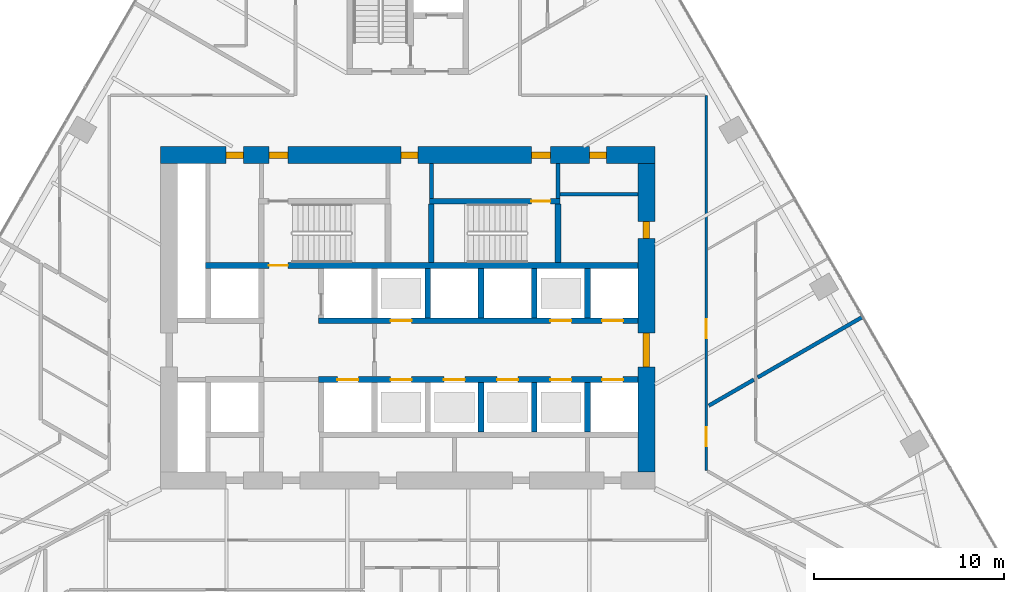
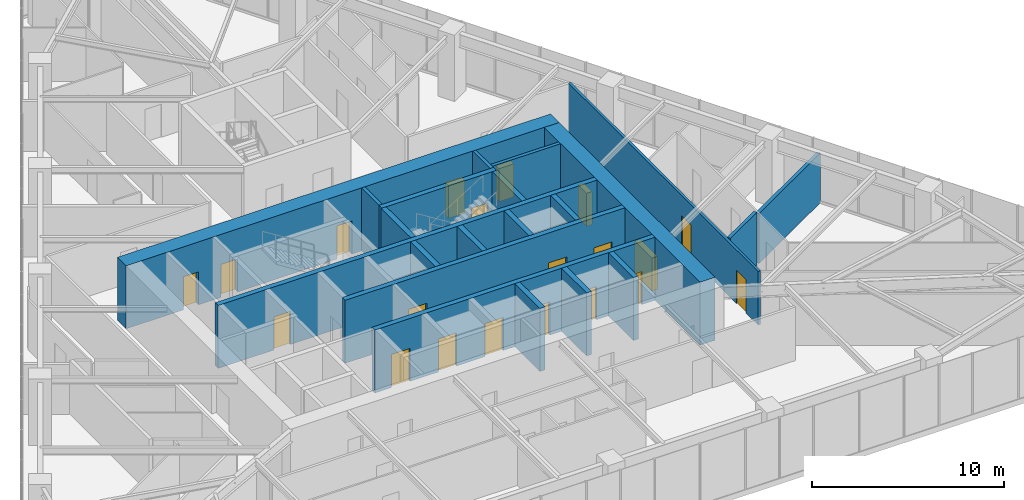
# One storey, part 22 of 26: 21 walls, 20 doors, 20 openings.
"""IFC4 building model written with IfcOpenShell, lengths in metres."""

from ifc_helpers import new_model, si_unit, direction, frame, frame_2d, origin, place, context, subcontext, project, spatial, rectangle, extrude, material, layer, layer_set, type_object, element, fill, save


model = new_model("IFC4")

# Units and contexts
model_context = context("Model", 3, precision=1e-05, world=origin(), true_north=direction((0.0, 1.0)))
body_context = subcontext(model_context, "Body", "Model", "MODEL_VIEW")
ifc_project = project(units=[si_unit("LENGTHUNIT", "METRE"), si_unit("AREAUNIT", "SQUARE_METRE"), si_unit("VOLUMEUNIT", "CUBIC_METRE"), si_unit("PLANEANGLEUNIT", "RADIAN"), si_unit("MASSUNIT", "GRAM", prefix="KILO")], contexts=[model_context])

# Site, building, storey
site_placement = place(None, origin())
site = spatial("IfcSite", under=ifc_project, at=site_placement, CompositionType="ELEMENT")
building_placement = place(site_placement, origin())
building = spatial("IfcBuilding", under=site, at=building_placement, Name="Firuza Gate Tower and Library", CompositionType="ELEMENT")
storey_placement = place(building_placement, frame((0.0, 0.0, 65.199951171875)))
storey = spatial("IfcBuildingStorey", under=building, at=storey_placement, Name="L14", CompositionType="ELEMENT", Elevation=65.199951171875)

# Walls
ifc_material_1 = material(Name="Plasterboard on steel studs", Category="steel")
ifc_layer_1 = layer(ifc_material_1, 0.199951171875)
ifc_layer_set_1 = layer_set([ifc_layer_1], Name="Core partition 200 EI 60")
wall_type_1 = type_object("IfcWallType", Name="Core partition 200 EI 60", PredefinedType="PARTITIONING", material=ifc_layer_set_1)
wall_1_placement = place(storey_placement, frame((83.0, 81.4951171875, 0.0), z_axis=(0.0, 0.0, 1.0), x_axis=(1.0, 0.0, 0.0)))
element("IfcWall", 1, at=wall_1_placement, inside=storey, type_object=wall_type_1, Name="Core partition L14 4", PredefinedType="PARTITIONING", context=body_context, shape_type="SweptSolid", body=[
    extrude(rectangle(XDim=4.10009765625, YDim=0.199951171875, at=frame_2d((2.050048828125, 0.0))), origin(), (0.0, 0.0, 1.0), 4.0),
])
for number, where, z_axis, x_axis, name in (
    (2, (76.239990234375, 81.280029296875, 0.0), (0.0, 0.0, 1.0), (0.0, 1.0, 0.0), "Core partition L14 13"),
    (3, (82.89990234375, 81.280029296875, 0.0), (0.0, 0.0, 1.0), (0.0, 1.0, 0.0), "Core partition L14 15"),
):
    element("IfcWall", number, at=place(storey_placement, frame(where, z_axis=z_axis, x_axis=x_axis)), inside=storey, type_object=wall_type_1, Name=name, PredefinedType="PARTITIONING", context=body_context, shape_type="SweptSolid", body=[
        extrude(rectangle(XDim=1.820068359375, YDim=0.199951171875, at=frame_2d((0.91015625, 0.0))), origin(), (0.0, 0.0, 1.0), 4.0),
    ])

# Wall, openings, doors
ifc_material_2 = material(Name="Concrete C80/95", Category="concrete")
ifc_layer_2 = layer(ifc_material_2, 0.300048828125)
ifc_layer_set_2 = layer_set([ifc_layer_2], Name="Core wall 300 C80/95")
wall_type_2 = type_object("IfcWallType", Name="Core wall 300 C80/95", PredefinedType="SHEAR", material=ifc_layer_set_2)
wall_2_placement = place(storey_placement, frame((70.300048828125, 71.75, 0.0), z_axis=(0.0, 0.0, 1.0), x_axis=(1.0, 0.0, 0.0)))
wall_2 = element("IfcWall", 4, at=wall_2_placement, inside=storey, type_object=wall_type_2, Name="Core wall L14 8", PredefinedType="SHEAR", context=body_context, shape_type="SweptSolid", body=[
    extrude(rectangle(XDim=16.800048828125, YDim=0.300048828125, at=frame_2d((8.39990234375, 0.0))), origin(), (0.0, 0.0, 1.0), 4.0),
])
opening_1_placement = place(wall_2_placement, frame((1.0, 0.0, 0.0)))
opening_1 = element("IfcOpeningElement", 5, at=opening_1_placement, cuts=wall_2, Name="Opening LD-FF1-L14", PredefinedType="OPENING", context=body_context, shape_type="SweptSolid", body=[
    extrude(rectangle(XDim=1.10009765625, YDim=2.10009765625, at=frame_2d((0.550048828125, 1.050048828125))), frame((0.0, 0.16015625, 0.0), z_axis=(0.0, -1.0, 0.0), x_axis=(1.0, 0.0, 0.0)), (0.0, 0.0, 1.0), 0.320068359375),
])
opening_2_placement = place(wall_2_placement, frame((3.800048828125, 0.0, 0.0)))
opening_2 = element("IfcOpeningElement", 6, at=opening_2_placement, cuts=wall_2, Name="Opening LD-LR1-L14", PredefinedType="OPENING", context=body_context, shape_type="SweptSolid", body=[
    extrude(rectangle(XDim=1.10009765625, YDim=2.10009765625, at=frame_2d((0.550048828125, 1.050048828125))), frame((0.0, 0.16015625, 0.0), z_axis=(0.0, -1.0, 0.0), x_axis=(1.0, 0.0, 0.0)), (0.0, 0.0, 1.0), 0.320068359375),
])
opening_3_placement = place(wall_2_placement, frame((6.60009765625, 0.0, 0.0)))
opening_3 = element("IfcOpeningElement", 7, at=opening_3_placement, cuts=wall_2, Name="Opening LD-LR2-L14", PredefinedType="OPENING", context=body_context, shape_type="SweptSolid", body=[
    extrude(rectangle(XDim=1.10009765625, YDim=2.10009765625, at=frame_2d((0.550048828125, 1.050048828125))), frame((0.0, 0.16015625, 0.0), z_axis=(0.0, -1.0, 0.0), x_axis=(1.0, 0.0, 0.0)), (0.0, 0.0, 1.0), 0.320068359375),
])
opening_4_placement = place(wall_2_placement, frame((9.39990234375, 0.0, 0.0)))
opening_4 = element("IfcOpeningElement", 8, at=opening_4_placement, cuts=wall_2, Name="Opening LD-LR3-L14", PredefinedType="OPENING", context=body_context, shape_type="SweptSolid", body=[
    extrude(rectangle(XDim=1.10009765625, YDim=2.10009765625, at=frame_2d((0.550048828125, 1.050048828125))), frame((0.0, 0.16015625, 0.0), z_axis=(0.0, -1.0, 0.0), x_axis=(1.0, 0.0, 0.0)), (0.0, 0.0, 1.0), 0.320068359375),
])
opening_5_placement = place(wall_2_placement, frame((12.199951171875, 0.0, 0.0)))
opening_5 = element("IfcOpeningElement", 9, at=opening_5_placement, cuts=wall_2, Name="Opening LD-LR5-L14", PredefinedType="OPENING", context=body_context, shape_type="SweptSolid", body=[
    extrude(rectangle(XDim=1.10009765625, YDim=2.10009765625, at=frame_2d((0.550048828125, 1.050048828125))), frame((0.0, 0.16015625, 0.0), z_axis=(0.0, -1.0, 0.0), x_axis=(1.0, 0.0, 0.0)), (0.0, 0.0, 1.0), 0.320068359375),
])
opening_6_placement = place(wall_2_placement, frame((14.925048828125, 0.0, 0.0)))
opening_6 = element("IfcOpeningElement", 10, at=opening_6_placement, cuts=wall_2, Name="Opening LD-LR7-L14", PredefinedType="OPENING", context=body_context, shape_type="SweptSolid", body=[
    extrude(rectangle(XDim=1.10009765625, YDim=2.10009765625, at=frame_2d((0.550048828125, 1.050048828125))), frame((0.0, 0.16015625, 0.0), z_axis=(0.0, -1.0, 0.0), x_axis=(1.0, 0.0, 0.0)), (0.0, 0.0, 1.0), 0.320068359375),
])
ifc_material_3 = material(Name="Stainless steel", Category="steel")
door_type_1 = type_object("IfcDoorType", Name="Lift landing door 1100x2100", OperationType="DOUBLE_DOOR_SLIDING", PredefinedType="DOOR", material=ifc_material_3)
door_1_placement = place(opening_1_placement, origin())
door_1 = element("IfcDoor", 11, at=door_1_placement, inside=storey, type_object=door_type_1, Name="Landing door FF1 L14", OperationType="DOUBLE_DOOR_SLIDING", OverallHeight=2.10009765625, OverallWidth=1.10009765625, PredefinedType="DOOR", context=body_context, shape_type="SweptSolid", body=[
    extrude(rectangle(XDim=1.10009765625, YDim=2.10009765625, at=frame_2d((0.550048828125, 1.050048828125))), frame((0.0, 0.02490234375, 0.0), z_axis=(0.0, -1.0, 0.0), x_axis=(1.0, 0.0, 0.0)), (0.0, 0.0, 1.0), 0.050048828125),
])
fill(opening_1, door_1)
door_2_placement = place(opening_2_placement, origin())
door_2 = element("IfcDoor", 12, at=door_2_placement, inside=storey, type_object=door_type_1, Name="Landing door LR1 L14", OperationType="DOUBLE_DOOR_SLIDING", OverallHeight=2.10009765625, OverallWidth=1.10009765625, PredefinedType="DOOR", context=body_context, shape_type="SweptSolid", body=[
    extrude(rectangle(XDim=1.10009765625, YDim=2.10009765625, at=frame_2d((0.550048828125, 1.050048828125))), frame((0.0, 0.02490234375, 0.0), z_axis=(0.0, -1.0, 0.0), x_axis=(1.0, 0.0, 0.0)), (0.0, 0.0, 1.0), 0.050048828125),
])
fill(opening_2, door_2)
door_3_placement = place(opening_3_placement, origin())
door_3 = element("IfcDoor", 13, at=door_3_placement, inside=storey, type_object=door_type_1, Name="Landing door LR2 L14", OperationType="DOUBLE_DOOR_SLIDING", OverallHeight=2.10009765625, OverallWidth=1.10009765625, PredefinedType="DOOR", context=body_context, shape_type="SweptSolid", body=[
    extrude(rectangle(XDim=1.10009765625, YDim=2.10009765625, at=frame_2d((0.550048828125, 1.050048828125))), frame((0.0, 0.02490234375, 0.0), z_axis=(0.0, -1.0, 0.0), x_axis=(1.0, 0.0, 0.0)), (0.0, 0.0, 1.0), 0.050048828125),
])
fill(opening_3, door_3)
door_4_placement = place(opening_4_placement, origin())
door_4 = element("IfcDoor", 14, at=door_4_placement, inside=storey, type_object=door_type_1, Name="Landing door LR3 L14", OperationType="DOUBLE_DOOR_SLIDING", OverallHeight=2.10009765625, OverallWidth=1.10009765625, PredefinedType="DOOR", context=body_context, shape_type="SweptSolid", body=[
    extrude(rectangle(XDim=1.10009765625, YDim=2.10009765625, at=frame_2d((0.550048828125, 1.050048828125))), frame((0.0, 0.02490234375, 0.0), z_axis=(0.0, -1.0, 0.0), x_axis=(1.0, 0.0, 0.0)), (0.0, 0.0, 1.0), 0.050048828125),
])
fill(opening_4, door_4)
door_5_placement = place(opening_5_placement, origin())
door_5 = element("IfcDoor", 15, at=door_5_placement, inside=storey, type_object=door_type_1, Name="Landing door LR5 L14", OperationType="DOUBLE_DOOR_SLIDING", OverallHeight=2.10009765625, OverallWidth=1.10009765625, PredefinedType="DOOR", context=body_context, shape_type="SweptSolid", body=[
    extrude(rectangle(XDim=1.10009765625, YDim=2.10009765625, at=frame_2d((0.550048828125, 1.050048828125))), frame((0.0, 0.02490234375, 0.0), z_axis=(0.0, -1.0, 0.0), x_axis=(1.0, 0.0, 0.0)), (0.0, 0.0, 1.0), 0.050048828125),
])
fill(opening_5, door_5)
door_6_placement = place(opening_6_placement, origin())
door_6 = element("IfcDoor", 16, at=door_6_placement, inside=storey, type_object=door_type_1, Name="Landing door LR7 L14", OperationType="DOUBLE_DOOR_SLIDING", OverallHeight=2.10009765625, OverallWidth=1.10009765625, PredefinedType="DOOR", context=body_context, shape_type="SweptSolid", body=[
    extrude(rectangle(XDim=1.10009765625, YDim=2.10009765625, at=frame_2d((0.550048828125, 1.050048828125))), frame((0.0, 0.02490234375, 0.0), z_axis=(0.0, -1.0, 0.0), x_axis=(1.0, 0.0, 0.0)), (0.0, 0.0, 1.0), 0.050048828125),
])
fill(opening_6, door_6)

wall_3_placement = place(storey_placement, frame((70.300048828125, 74.85009765625, 0.0), z_axis=(0.0, 0.0, 1.0), x_axis=(1.0, 0.0, 0.0)))
wall_3 = element("IfcWall", 17, at=wall_3_placement, inside=storey, type_object=wall_type_2, Name="Core wall L14 10", PredefinedType="SHEAR", context=body_context, shape_type="SweptSolid", body=[
    extrude(rectangle(XDim=16.800048828125, YDim=0.300048828125, at=frame_2d((8.39990234375, 0.0))), origin(), (0.0, 0.0, 1.0), 4.0),
])
opening_7_placement = place(wall_3_placement, frame((3.800048828125, 0.0, 0.0)))
opening_7 = element("IfcOpeningElement", 18, at=opening_7_placement, cuts=wall_3, Name="Opening LD-LR4-L14", PredefinedType="OPENING", context=body_context, shape_type="SweptSolid", body=[
    extrude(rectangle(XDim=1.10009765625, YDim=2.10009765625, at=frame_2d((0.550048828125, 1.050048828125))), frame((0.0, 0.16015625, 0.0), z_axis=(0.0, -1.0, 0.0), x_axis=(1.0, 0.0, 0.0)), (0.0, 0.0, 1.0), 0.320068359375),
])
opening_8_placement = place(wall_3_placement, frame((12.199951171875, 0.0, 0.0)))
opening_8 = element("IfcOpeningElement", 19, at=opening_8_placement, cuts=wall_3, Name="Opening LD-LR6-L14", PredefinedType="OPENING", context=body_context, shape_type="SweptSolid", body=[
    extrude(rectangle(XDim=1.10009765625, YDim=2.10009765625, at=frame_2d((0.550048828125, 1.050048828125))), frame((0.0, 0.16015625, 0.0), z_axis=(0.0, -1.0, 0.0), x_axis=(1.0, 0.0, 0.0)), (0.0, 0.0, 1.0), 0.320068359375),
])
opening_9_placement = place(wall_3_placement, frame((14.925048828125, 0.0, 0.0)))
opening_9 = element("IfcOpeningElement", 20, at=opening_9_placement, cuts=wall_3, Name="Opening LD-LR8-L14", PredefinedType="OPENING", context=body_context, shape_type="SweptSolid", body=[
    extrude(rectangle(XDim=1.10009765625, YDim=2.10009765625, at=frame_2d((0.550048828125, 1.050048828125))), frame((0.0, 0.16015625, 0.0), z_axis=(0.0, -1.0, 0.0), x_axis=(1.0, 0.0, 0.0)), (0.0, 0.0, 1.0), 0.320068359375),
])
door_7_placement = place(opening_7_placement, origin())
door_7 = element("IfcDoor", 21, at=door_7_placement, inside=storey, type_object=door_type_1, Name="Landing door LR4 L14", OperationType="DOUBLE_DOOR_SLIDING", OverallHeight=2.10009765625, OverallWidth=1.10009765625, PredefinedType="DOOR", context=body_context, shape_type="SweptSolid", body=[
    extrude(rectangle(XDim=1.10009765625, YDim=2.10009765625, at=frame_2d((0.550048828125, 1.050048828125))), frame((0.0, 0.02490234375, 0.0), z_axis=(0.0, -1.0, 0.0), x_axis=(1.0, 0.0, 0.0)), (0.0, 0.0, 1.0), 0.050048828125),
])
fill(opening_7, door_7)
door_8_placement = place(opening_8_placement, origin())
door_8 = element("IfcDoor", 22, at=door_8_placement, inside=storey, type_object=door_type_1, Name="Landing door LR6 L14", OperationType="DOUBLE_DOOR_SLIDING", OverallHeight=2.10009765625, OverallWidth=1.10009765625, PredefinedType="DOOR", context=body_context, shape_type="SweptSolid", body=[
    extrude(rectangle(XDim=1.10009765625, YDim=2.10009765625, at=frame_2d((0.550048828125, 1.050048828125))), frame((0.0, 0.02490234375, 0.0), z_axis=(0.0, -1.0, 0.0), x_axis=(1.0, 0.0, 0.0)), (0.0, 0.0, 1.0), 0.050048828125),
])
fill(opening_8, door_8)
door_9_placement = place(opening_9_placement, origin())
door_9 = element("IfcDoor", 23, at=door_9_placement, inside=storey, type_object=door_type_1, Name="Landing door LR8 L14", OperationType="DOUBLE_DOOR_SLIDING", OverallHeight=2.10009765625, OverallWidth=1.10009765625, PredefinedType="DOOR", context=body_context, shape_type="SweptSolid", body=[
    extrude(rectangle(XDim=1.10009765625, YDim=2.10009765625, at=frame_2d((0.550048828125, 1.050048828125))), frame((0.0, 0.02490234375, 0.0), z_axis=(0.0, -1.0, 0.0), x_axis=(1.0, 0.0, 0.0)), (0.0, 0.0, 1.0), 0.050048828125),
])
fill(opening_9, door_9)

# Walls
for number, where, z_axis, x_axis, name in (
    (24, (76.050048828125, 75.0, 0.0), (0.0, 0.0, 1.0), (0.0, 1.0, 0.0), "Core wall L14 20"),
    (25, (78.85009765625, 69.0, 0.0), (0.0, 0.0, 1.0), (0.0, 1.0, 0.0), "Core wall L14 21"),
    (26, (78.85009765625, 75.0, 0.0), (0.0, 0.0, 1.0), (0.0, 1.0, 0.0), "Core wall L14 22"),
    (27, (81.64990234375, 69.0, 0.0), (0.0, 0.0, 1.0), (0.0, 1.0, 0.0), "Core wall L14 23"),
    (28, (81.64990234375, 75.0, 0.0), (0.0, 0.0, 1.0), (0.0, 1.0, 0.0), "Core wall L14 24"),
    (29, (84.449951171875, 69.0, 0.0), (0.0, 0.0, 1.0), (0.0, 1.0, 0.0), "Core wall L14 25"),
    (30, (84.449951171875, 75.0, 0.0), (0.0, 0.0, 1.0), (0.0, 1.0, 0.0), "Core wall L14 26"),
):
    element("IfcWall", number, at=place(storey_placement, frame(where, z_axis=z_axis, x_axis=x_axis)), inside=storey, type_object=wall_type_2, Name=name, PredefinedType="SHEAR", context=body_context, shape_type="SweptSolid", body=[
        extrude(rectangle(XDim=2.60009765625, YDim=0.300048828125, at=frame_2d((1.300048828125, 0.0))), origin(), (0.0, 0.0, 1.0), 4.0),
    ])

# Wall, opening, door
wall_4_placement = place(storey_placement, frame((64.35009765625, 77.75, 0.0), z_axis=(0.0, 0.0, 1.0), x_axis=(1.0, 0.0, 0.0)))
wall_4 = element("IfcWall", 31, at=wall_4_placement, inside=storey, type_object=wall_type_2, Name="Core wall L14 27", PredefinedType="SHEAR", context=body_context, shape_type="SweptSolid", body=[
    extrude(rectangle(XDim=22.75, YDim=0.300048828125, at=frame_2d((11.375, 0.0))), origin(), (0.0, 0.0, 1.0), 4.0),
])
opening_10_placement = place(wall_4_placement, frame((3.344970703125, 0.0, 0.0)))
opening_10 = element("IfcOpeningElement", 32, at=opening_10_placement, cuts=wall_4, Name="Opening L14-K12", PredefinedType="OPENING", context=body_context, shape_type="SweptSolid", body=[
    extrude(rectangle(XDim=1.0, YDim=2.10009765625, at=frame_2d((0.5, 1.050048828125))), frame((0.0, 0.16015625, 0.0), z_axis=(0.0, -1.0, 0.0), x_axis=(1.0, 0.0, 0.0)), (0.0, 0.0, 1.0), 0.320068359375),
])
ifc_material_4 = material(Name="Steel", Category="steel")
door_type_2 = type_object("IfcDoorType", Name="Fire door 1000x2100 FD90", OperationType="NOTDEFINED", PredefinedType="DOOR", material=ifc_material_4)
door_10_placement = place(opening_10_placement, origin())
door_10 = element("IfcDoor", 33, at=door_10_placement, inside=storey, type_object=door_type_2, Name="Door L14-K12", OperationType="SINGLE_SWING_LEFT", OverallHeight=2.10009765625, OverallWidth=1.0, PredefinedType="DOOR", context=body_context, shape_type="SweptSolid", body=[
    extrude(rectangle(XDim=1.0, YDim=2.10009765625, at=frame_2d((0.5, 1.050048828125))), frame((0.0, 0.02490234375, 0.0), z_axis=(0.0, -1.0, 0.0), x_axis=(1.0, 0.0, 0.0)), (0.0, 0.0, 1.0), 0.050048828125),
])
fill(opening_10, door_10)

wall_5_placement = place(storey_placement, frame((76.139892578125, 81.1298828125, 0.0), z_axis=(0.0, 0.0, 1.0), x_axis=(1.0, 0.0, 0.0)))
wall_5 = element("IfcWall", 34, at=wall_5_placement, inside=storey, type_object=wall_type_2, Name="Core wall L14 29", PredefinedType="SHEAR", context=body_context, shape_type="SweptSolid", body=[
    extrude(rectangle(XDim=6.860107421875, YDim=0.300048828125, at=frame_2d((3.43017578125, 0.0))), origin(), (0.0, 0.0, 1.0), 4.0),
])
opening_11_placement = place(wall_5_placement, frame((5.364990234375, 0.0, 0.0)))
opening_11 = element("IfcOpeningElement", 35, at=opening_11_placement, cuts=wall_5, Name="Opening L14-K15", PredefinedType="OPENING", context=body_context, shape_type="SweptSolid", body=[
    extrude(rectangle(XDim=1.0, YDim=2.10009765625, at=frame_2d((0.5, 1.050048828125))), frame((0.0, 0.16015625, 0.0), z_axis=(0.0, -1.0, 0.0), x_axis=(1.0, 0.0, 0.0)), (0.0, 0.0, 1.0), 0.320068359375),
])
door_11_placement = place(opening_11_placement, origin())
door_11 = element("IfcDoor", 36, at=door_11_placement, inside=storey, type_object=door_type_2, Name="Door L14-K15", OperationType="SINGLE_SWING_RIGHT", OverallHeight=2.10009765625, OverallWidth=1.0, PredefinedType="DOOR", context=body_context, shape_type="SweptSolid", body=[
    extrude(rectangle(XDim=1.0, YDim=2.10009765625, at=frame_2d((0.5, 1.050048828125))), frame((0.0, 0.02490234375, 0.0), z_axis=(0.0, -1.0, 0.0), x_axis=(1.0, 0.0, 0.0)), (0.0, 0.0, 1.0), 0.050048828125),
])
fill(opening_11, door_11)

# Walls
for number, where, z_axis, x_axis, name in (
    (37, (76.239990234375, 77.89990234375, 0.0), (0.0, 0.0, 1.0), (0.0, 1.0, 0.0), "Core wall L14 32"),
    (38, (82.89990234375, 77.89990234375, 0.0), (0.0, 0.0, 1.0), (0.0, 1.0, 0.0), "Core wall L14 33"),
):
    element("IfcWall", number, at=place(storey_placement, frame(where, z_axis=z_axis, x_axis=x_axis)), inside=storey, type_object=wall_type_2, Name=name, PredefinedType="SHEAR", context=body_context, shape_type="SweptSolid", body=[
        extrude(rectangle(XDim=3.080078125, YDim=0.300048828125, at=frame_2d((1.5400390625, 0.0))), origin(), (0.0, 0.0, 1.0), 4.0),
    ])

# Wall, openings, doors
ifc_material_5 = material(Name="Concrete C80/95", Category="concrete")
ifc_layer_3 = layer(ifc_material_5, 0.89990234375)
ifc_layer_set_3 = layer_set([ifc_layer_3], Name="Core wall 900 C80/95")
wall_type_3 = type_object("IfcWallType", Name="Core wall 900 C80/95", PredefinedType="SHEAR", material=ifc_layer_set_3)
wall_6_placement = place(storey_placement, frame((62.0, 83.550048828125, 0.0), z_axis=(0.0, 0.0, 1.0), x_axis=(1.0, 0.0, 0.0)))
wall_6 = element("IfcWall", 39, at=wall_6_placement, inside=storey, type_object=wall_type_3, Name="Core wall L14 2", PredefinedType="SHEAR", context=body_context, shape_type="SweptSolid", body=[
    extrude(rectangle(XDim=26.0, YDim=0.89990234375, at=frame_2d((13.0, 0.0))), origin(), (0.0, 0.0, 1.0), 4.0),
])
opening_12_placement = place(wall_6_placement, frame((5.695068359375, 0.0, 0.0)))
opening_12 = element("IfcOpeningElement", 40, at=opening_12_placement, cuts=wall_6, Name="Opening L14-K14", PredefinedType="OPENING", context=body_context, shape_type="SweptSolid", body=[
    extrude(rectangle(XDim=1.0, YDim=2.10009765625, at=frame_2d((0.5, 1.050048828125))), frame((0.0, 0.4599609375, 0.0), z_axis=(0.0, -1.0, 0.0), x_axis=(1.0, 0.0, 0.0)), (0.0, 0.0, 1.0), 0.919921875),
])
opening_13_placement = place(wall_6_placement, frame((19.5048828125, 0.0, 0.0)))
opening_13 = element("IfcOpeningElement", 41, at=opening_13_placement, cuts=wall_6, Name="Opening L14-K16", PredefinedType="OPENING", context=body_context, shape_type="SweptSolid", body=[
    extrude(rectangle(XDim=1.0, YDim=2.10009765625, at=frame_2d((0.5, 1.050048828125))), frame((0.0, 0.4599609375, 0.0), z_axis=(0.0, -1.0, 0.0), x_axis=(1.0, 0.0, 0.0)), (0.0, 0.0, 1.0), 0.919921875),
])
opening_14_placement = place(wall_6_placement, frame((3.449951171875, 0.0, 0.0)))
opening_14 = element("IfcOpeningElement", 42, at=opening_14_placement, cuts=wall_6, Name="Opening L14-K29", PredefinedType="OPENING", context=body_context, shape_type="SweptSolid", body=[
    extrude(rectangle(XDim=0.89990234375, YDim=2.10009765625, at=frame_2d((0.449951171875, 1.050048828125))), frame((0.0, 0.4599609375, 0.0), z_axis=(0.0, -1.0, 0.0), x_axis=(1.0, 0.0, 0.0)), (0.0, 0.0, 1.0), 0.919921875),
])
opening_15_placement = place(wall_6_placement, frame((12.64990234375, 0.0, 0.0)))
opening_15 = element("IfcOpeningElement", 43, at=opening_15_placement, cuts=wall_6, Name="Opening L14-K30", PredefinedType="OPENING", context=body_context, shape_type="SweptSolid", body=[
    extrude(rectangle(XDim=0.89990234375, YDim=2.10009765625, at=frame_2d((0.449951171875, 1.050048828125))), frame((0.0, 0.4599609375, 0.0), z_axis=(0.0, -1.0, 0.0), x_axis=(1.0, 0.0, 0.0)), (0.0, 0.0, 1.0), 0.919921875),
])
opening_16_placement = place(wall_6_placement, frame((22.550048828125, 0.0, 0.0)))
opening_16 = element("IfcOpeningElement", 44, at=opening_16_placement, cuts=wall_6, Name="Opening L14-K32", PredefinedType="OPENING", context=body_context, shape_type="SweptSolid", body=[
    extrude(rectangle(XDim=0.89990234375, YDim=2.10009765625, at=frame_2d((0.449951171875, 1.050048828125))), frame((0.0, 0.4599609375, 0.0), z_axis=(0.0, -1.0, 0.0), x_axis=(1.0, 0.0, 0.0)), (0.0, 0.0, 1.0), 0.919921875),
])
door_12_placement = place(opening_12_placement, origin())
door_12 = element("IfcDoor", 45, at=door_12_placement, inside=storey, type_object=door_type_2, Name="Door L14-K14", OperationType="SINGLE_SWING_LEFT", OverallHeight=2.10009765625, OverallWidth=1.0, PredefinedType="DOOR", context=body_context, shape_type="SweptSolid", body=[
    extrude(rectangle(XDim=1.0, YDim=2.10009765625, at=frame_2d((0.5, 1.050048828125))), frame((0.0, 0.169921875, 0.0), z_axis=(0.0, -1.0, 0.0), x_axis=(1.0, 0.0, 0.0)), (0.0, 0.0, 1.0), 0.33984375),
])
fill(opening_12, door_12)
door_13_placement = place(opening_13_placement, origin())
door_13 = element("IfcDoor", 46, at=door_13_placement, inside=storey, type_object=door_type_2, Name="Door L14-K16", OperationType="SINGLE_SWING_LEFT", OverallHeight=2.10009765625, OverallWidth=1.0, PredefinedType="DOOR", context=body_context, shape_type="SweptSolid", body=[
    extrude(rectangle(XDim=1.0, YDim=2.10009765625, at=frame_2d((0.5, 1.050048828125))), frame((0.0, 0.169921875, 0.0), z_axis=(0.0, -1.0, 0.0), x_axis=(1.0, 0.0, 0.0)), (0.0, 0.0, 1.0), 0.33984375),
])
fill(opening_13, door_13)
ifc_material_6 = material(Name="Steel", Category="steel")
door_type_3 = type_object("IfcDoorType", Name="Fire door 900x2100 FD30S", OperationType="NOTDEFINED", PredefinedType="DOOR", material=ifc_material_6)
door_14_placement = place(opening_14_placement, origin())
door_14 = element("IfcDoor", 47, at=door_14_placement, inside=storey, type_object=door_type_3, Name="Door L14-K29", OperationType="SINGLE_SWING_RIGHT", OverallHeight=2.10009765625, OverallWidth=0.89990234375, PredefinedType="DOOR", context=body_context, shape_type="SweptSolid", body=[
    extrude(rectangle(XDim=0.89990234375, YDim=2.10009765625, at=frame_2d((0.449951171875, 1.050048828125))), frame((0.0, 0.169921875, 0.0), z_axis=(0.0, -1.0, 0.0), x_axis=(1.0, 0.0, 0.0)), (0.0, 0.0, 1.0), 0.33984375),
])
fill(opening_14, door_14)
door_15_placement = place(opening_15_placement, origin())
door_15 = element("IfcDoor", 48, at=door_15_placement, inside=storey, type_object=door_type_3, Name="Door L14-K30", OperationType="SINGLE_SWING_LEFT", OverallHeight=2.10009765625, OverallWidth=0.89990234375, PredefinedType="DOOR", context=body_context, shape_type="SweptSolid", body=[
    extrude(rectangle(XDim=0.89990234375, YDim=2.10009765625, at=frame_2d((0.449951171875, 1.050048828125))), frame((0.0, 0.169921875, 0.0), z_axis=(0.0, -1.0, 0.0), x_axis=(1.0, 0.0, 0.0)), (0.0, 0.0, 1.0), 0.33984375),
])
fill(opening_15, door_15)
door_16_placement = place(opening_16_placement, origin())
door_16 = element("IfcDoor", 49, at=door_16_placement, inside=storey, type_object=door_type_3, Name="Door L14-K32", OperationType="SINGLE_SWING_LEFT", OverallHeight=2.10009765625, OverallWidth=0.89990234375, PredefinedType="DOOR", context=body_context, shape_type="SweptSolid", body=[
    extrude(rectangle(XDim=0.89990234375, YDim=2.10009765625, at=frame_2d((0.449951171875, 1.050048828125))), frame((0.0, 0.169921875, 0.0), z_axis=(0.0, -1.0, 0.0), x_axis=(1.0, 0.0, 0.0)), (0.0, 0.0, 1.0), 0.33984375),
])
fill(opening_16, door_16)

wall_7_placement = place(storey_placement, frame((87.550048828125, 66.89990234375, 0.0), z_axis=(0.0, 0.0, 1.0), x_axis=(0.0, 1.0, 0.0)))
wall_7 = element("IfcWall", 50, at=wall_7_placement, inside=storey, type_object=wall_type_3, Name="Core wall L14 4", PredefinedType="SHEAR", context=body_context, shape_type="SweptSolid", body=[
    extrude(rectangle(XDim=16.2001953125, YDim=0.89990234375, at=frame_2d((8.10009765625, 0.0))), origin(), (0.0, 0.0, 1.0), 4.0),
])
opening_17_placement = place(wall_7_placement, frame((5.5, 0.0, 0.0)))
opening_17 = element("IfcOpeningElement", 51, at=opening_17_placement, cuts=wall_7, Name="Opening L14-K23", PredefinedType="OPENING", context=body_context, shape_type="SweptSolid", body=[
    extrude(rectangle(XDim=1.800048828125, YDim=2.10009765625, at=frame_2d((0.89990234375, 1.050048828125))), frame((0.0, 0.4599609375, 0.0), z_axis=(0.0, -1.0, 0.0), x_axis=(1.0, 0.0, 0.0)), (0.0, 0.0, 1.0), 0.919921875),
])
opening_18_placement = place(wall_7_placement, frame((12.2724609375, 0.0, 0.0)))
opening_18 = element("IfcOpeningElement", 52, at=opening_18_placement, cuts=wall_7, Name="Opening L14-K31", PredefinedType="OPENING", context=body_context, shape_type="SweptSolid", body=[
    extrude(rectangle(XDim=0.89990234375, YDim=2.10009765625, at=frame_2d((0.449951171875, 1.050048828125))), frame((0.0, 0.4599609375, 0.0), z_axis=(0.0, -1.0, 0.0), x_axis=(1.0, 0.0, 0.0)), (0.0, 0.0, 1.0), 0.919921875),
])
ifc_material_7 = material(Name="Steel", Category="steel")
door_type_4 = type_object("IfcDoorType", Name="Fire door 1800x2100 FD30S", OperationType="NOTDEFINED", PredefinedType="DOOR", material=ifc_material_7)
door_17_placement = place(opening_17_placement, origin())
door_17 = element("IfcDoor", 53, at=door_17_placement, inside=storey, type_object=door_type_4, Name="Door L14-K23", OperationType="SINGLE_SWING_RIGHT", OverallHeight=2.10009765625, OverallWidth=1.800048828125, PredefinedType="DOOR", context=body_context, shape_type="SweptSolid", body=[
    extrude(rectangle(XDim=1.800048828125, YDim=2.10009765625, at=frame_2d((0.89990234375, 1.050048828125))), frame((0.0, 0.169921875, 0.0), z_axis=(0.0, -1.0, 0.0), x_axis=(1.0, 0.0, 0.0)), (0.0, 0.0, 1.0), 0.33984375),
])
fill(opening_17, door_17)
door_18_placement = place(opening_18_placement, origin())
door_18 = element("IfcDoor", 54, at=door_18_placement, inside=storey, type_object=door_type_3, Name="Door L14-K31", OperationType="SINGLE_SWING_RIGHT", OverallHeight=2.10009765625, OverallWidth=0.89990234375, PredefinedType="DOOR", context=body_context, shape_type="SweptSolid", body=[
    extrude(rectangle(XDim=0.89990234375, YDim=2.10009765625, at=frame_2d((0.449951171875, 1.050048828125))), frame((0.0, 0.169921875, 0.0), z_axis=(0.0, -1.0, 0.0), x_axis=(1.0, 0.0, 0.0)), (0.0, 0.0, 1.0), 0.33984375),
])
fill(opening_18, door_18)

ifc_material_8 = material(Name="Gypsum board partition")
ifc_layer_4 = layer(ifc_material_8, 0.14990234375)
ifc_layer_set_4 = layer_set([ifc_layer_4], Name="Corridor wall 150 double board on steel studs")
wall_type_4 = type_object("IfcWallType", Name="Corridor wall 150 double board on steel studs", PredefinedType="PARTITIONING", material=ifc_layer_set_4)
wall_8_placement = place(storey_placement, frame((90.699951171875, 86.699462890625, 0.0), z_axis=(0.0, 0.0, 1.0), x_axis=(0.0, -1.0, 0.0)))
wall_8 = element("IfcWall", 55, at=wall_8_placement, inside=storey, type_object=wall_type_4, Name="f:L14:w030", PredefinedType="PARTITIONING", context=body_context, shape_type="SweptSolid", body=[
    extrude(rectangle(XDim=19.724609375, YDim=0.14990234375, at=frame_2d((9.8623046875, 0.0))), origin(), (0.0, 0.0, 1.0), 3.400146484375),
])
opening_19_placement = place(wall_8_placement, frame((11.76806640625, 0.0, 0.0)))
opening_19 = element("IfcOpeningElement", 56, at=opening_19_placement, cuts=wall_8, Name="Opening L14-20", PredefinedType="OPENING", context=body_context, shape_type="SweptSolid", body=[
    extrude(rectangle(XDim=1.0, YDim=2.10009765625, at=frame_2d((0.5, 1.050048828125))), frame((0.0, 0.0849609375, 0.0), z_axis=(0.0, -1.0, 0.0), x_axis=(1.0, 0.0, 0.0)), (0.0, 0.0, 1.0), 0.169921875),
])
opening_20_placement = place(wall_8_placement, frame((17.458984375, 0.0, 0.0)))
opening_20 = element("IfcOpeningElement", 57, at=opening_20_placement, cuts=wall_8, Name="Opening L14-21", PredefinedType="OPENING", context=body_context, shape_type="SweptSolid", body=[
    extrude(rectangle(XDim=1.0, YDim=2.10009765625, at=frame_2d((0.5, 1.050048828125))), frame((0.0, 0.0849609375, 0.0), z_axis=(0.0, -1.0, 0.0), x_axis=(1.0, 0.0, 0.0)), (0.0, 0.0, 1.0), 0.169921875),
])
ifc_material_9 = material(Name="Steel door and timber leaf", Category="steel")
door_type_5 = type_object("IfcDoorType", Name="Fire door 1000 x 2100 steel frame, timber leaf", OperationType="NOTDEFINED", PredefinedType="DOOR", material=ifc_material_9)
door_19_placement = place(opening_19_placement, origin())
door_19 = element("IfcDoor", 58, at=door_19_placement, inside=storey, type_object=door_type_5, Name="f:L14:d020", OperationType="SINGLE_SWING_RIGHT", OverallHeight=2.10009765625, OverallWidth=1.0, PredefinedType="DOOR", context=body_context, shape_type="SweptSolid", body=[
    extrude(rectangle(XDim=1.0, YDim=2.10009765625, at=frame_2d((0.5, 1.050048828125))), frame((0.0, 0.02490234375, 0.0), z_axis=(0.0, -1.0, 0.0), x_axis=(1.0, 0.0, 0.0)), (0.0, 0.0, 1.0), 0.050048828125),
])
fill(opening_19, door_19)
door_20_placement = place(opening_20_placement, origin())
door_20 = element("IfcDoor", 59, at=door_20_placement, inside=storey, type_object=door_type_5, Name="f:L14:d021", OperationType="SINGLE_SWING_LEFT", OverallHeight=2.10009765625, OverallWidth=1.0, PredefinedType="DOOR", context=body_context, shape_type="SweptSolid", body=[
    extrude(rectangle(XDim=1.0, YDim=2.10009765625, at=frame_2d((0.5, 1.050048828125))), frame((0.0, 0.02490234375, 0.0), z_axis=(0.0, -1.0, 0.0), x_axis=(1.0, 0.0, 0.0)), (0.0, 0.0, 1.0), 0.050048828125),
])
fill(opening_20, door_20)

# Walls
ifc_material_10 = material(Name="Gypsum board partition")
ifc_layer_5 = layer(ifc_material_10, 0.199951171875)
ifc_layer_set_5 = layer_set([ifc_layer_5], Name="Demising wall 200 acoustic double stud")
wall_type_5 = type_object("IfcWallType", Name="Demising wall 200 acoustic double stud", PredefinedType="PARTITIONING", material=ifc_layer_set_5)
wall_9_placement = place(storey_placement, frame((90.826904296875, 70.3759765625, 0.0), z_axis=(0.0, 0.0, 1.0), x_axis=(0.866019409031, 0.500010383074, 0.0)))
element("IfcWall", 60, at=wall_9_placement, inside=storey, type_object=wall_type_5, Name="f:L14:w013", PredefinedType="PARTITIONING", context=body_context, shape_type="SweptSolid", body=[
    extrude(rectangle(XDim=2.740234375, YDim=0.199951171875, at=frame_2d((1.3701171875, 0.0))), origin(), (0.0, 0.0, 1.0), 3.400146484375),
])
wall_10_placement = place(storey_placement, frame((93.39990234375, 71.861572265625, 0.0), z_axis=(0.0, 0.0, 1.0), x_axis=(0.866018247172, 0.500012395411, 0.0)))
element("IfcWall", 61, at=wall_10_placement, inside=storey, type_object=wall_type_5, Name="f:L14:w069", PredefinedType="PARTITIONING", context=body_context, shape_type="SweptSolid", body=[
    extrude(rectangle(XDim=6.365478515625, YDim=0.199951171875, at=frame_2d((3.1826171875, 0.0))), origin(), (0.0, 0.0, 1.0), 3.1650390625),
])

save(model, "model.ifc")
